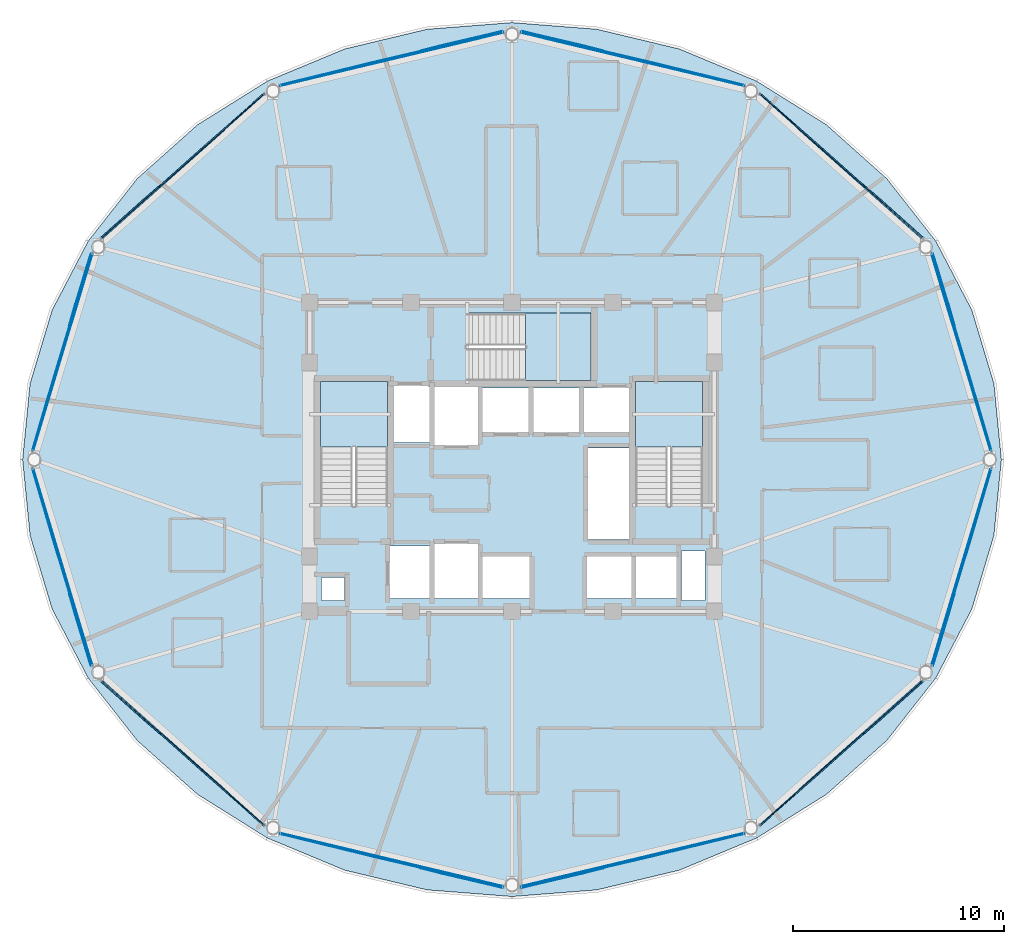
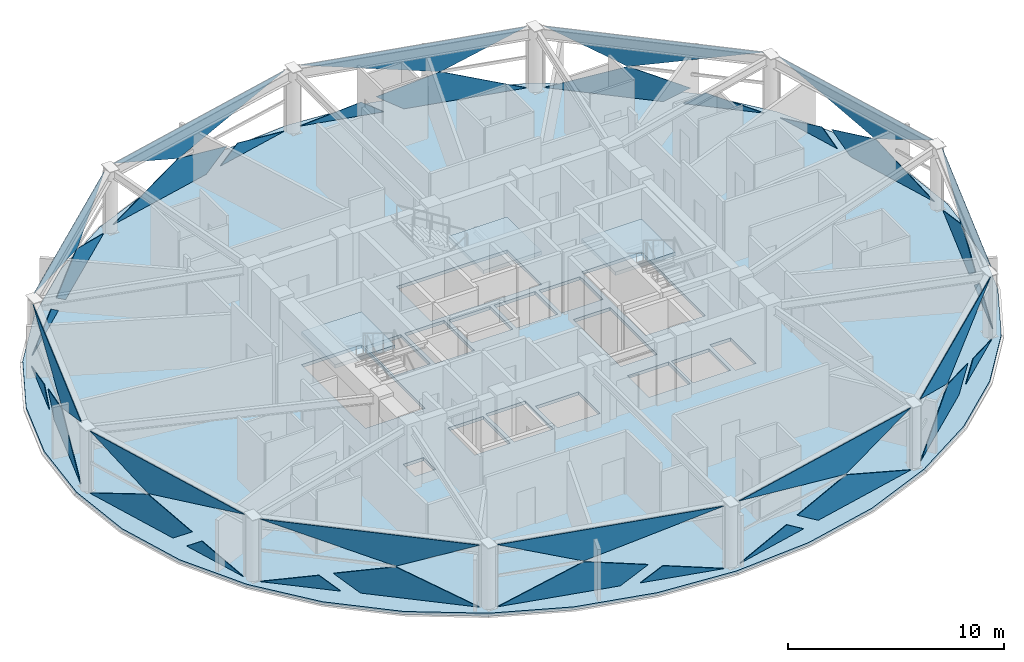
# One storey, part 21 of 30: 36 plates, 4 slabs, 15 elements without a shape of their own.
"""IFC4 building model written with IfcOpenShell, lengths in metres."""

from ifc_helpers import new_model, si_unit, direction, frame, origin, place, context, subcontext, project, spatial, polyline, outline, extrude, material, layer, layer_set, type_object, element, aggregate, save


model = new_model("IFC4")

# Units and contexts
model_context = context("Model", 3, precision=1e-05, world=origin(), true_north=direction((0.0, 1.0)))
body_context = subcontext(model_context, "Body", "Model", "MODEL_VIEW")
ifc_project = project(units=[si_unit("LENGTHUNIT", "METRE"), si_unit("AREAUNIT", "SQUARE_METRE"), si_unit("VOLUMEUNIT", "CUBIC_METRE"), si_unit("PLANEANGLEUNIT", "RADIAN"), si_unit("MASSUNIT", "GRAM", prefix="KILO")], contexts=[model_context])

# Site, building, storey
site_placement = place(None, origin())
site = spatial("IfcSite", under=ifc_project, at=site_placement, CompositionType="ELEMENT")
building_placement = place(site_placement, origin())
building = spatial("IfcBuilding", under=site, at=building_placement, Name="Vantalir Tower", CompositionType="ELEMENT")
storey_placement = place(building_placement, frame((0.0, 0.0, 186.14990234375)))
storey = spatial("IfcBuildingStorey", under=building, at=storey_placement, Name="L46", CompositionType="ELEMENT", Elevation=186.14990234375)

# Curtain wall, plates
ifc_material_1 = material(Name="Champagne-silver PVDF aluminium and double-silver Low-E glass", Category="aluminium")
ifc_layer_1 = layer(ifc_material_1, 0.2099609375)
ifc_layer_set_1 = layer_set([ifc_layer_1], Name="Champagne-silver PVDF aluminium and double-silver Low-E glass")
curtain_wall_type = type_object("IfcCurtainWallType", Name="CW-DIAMOND-Z3", PredefinedType="USERDEFINED", material=ifc_layer_set_1)
curtain_wall_1_placement = place(storey_placement, origin())
curtain_wall_1 = element("IfcCurtainWall", 1, at=curtain_wall_1_placement, inside=storey, type_object=curtain_wall_type, Name="L46 Quilted Pyramid-Diamond Curtain Wall S01", ObjectType="UNITISED CURTAIN WALL", PredefinedType="USERDEFINED")
ifc_material_2 = material(Name="Double-silver Low-E acoustic glass IGU", Category="glass")
ifc_layer_2 = layer(ifc_material_2, 0.031982421875)
ifc_layer_set_2 = layer_set([ifc_layer_2], Name="Double-silver Low-E acoustic glass IGU")
plate_type = type_object("IfcPlateType", Name="CWP-IGU-32", PredefinedType="CURTAIN_PANEL", material=ifc_layer_set_2)
plate_1_placement = place(storey_placement, frame((54.24365234375, 25.406982421875, 0.047119140625), z_axis=(-0.957579072068, -0.287844761269, 0.013700881249), x_axis=(-0.287872386342, 0.95766877732, -4.6128786e-05)))
plate_1 = element("IfcPlate", 2, at=plate_1_placement, type_object=plate_type, Name="CW-L46-S01 Pyramid Diamond Facet 1L", PredefinedType="CURTAIN_PANEL", context=body_context, shape_type="SweptSolid", body=[
    extrude(outline(polyline([(0.0, 0.0), (5.292903018557238, -4.363913744254155e-18), (6.505803526019668, -0.9342256842411738), (3.721961085963281, -1.7259196116838134), (0.0, 0.0)])), origin(), (0.0, 0.0, -1.0), 0.031982421875),
])
plate_2_placement = place(storey_placement, frame((52.495361328125, 31.347900390625, 0.04638671875), z_axis=(-0.957562221504, -0.287898873205, 0.013741570378), x_axis=(-0.287926951772, 0.957652372125, -6.7875283e-05)))
plate_2 = element("IfcPlate", 3, at=plate_2_placement, type_object=plate_type, Name="CW-L46-S01 Pyramid Diamond Facet 1L Infill Light", PredefinedType="CURTAIN_PANEL", context=body_context, shape_type="SweptSolid", body=[
    extrude(outline(polyline([(0.0, 0.0), (3.596900272363457, 4.336808689942018e-18), (0.9702100618070822, -0.7472067186398484), (0.0, 0.0)])), origin(), (0.0, 0.0, -1.0), 0.031982421875),
])
plate_3_placement = place(storey_placement, frame((51.42529296875, 34.781982421875, 3.5234375), z_axis=(0.957570876233, 0.287869386433, 0.013756211155), x_axis=(0.287896956027, -0.957661392189, -2.4939099e-05)))
plate_3 = element("IfcPlate", 4, at=plate_3_placement, type_object=plate_type, Name="CW-L46-S01 Pyramid Diamond Facet 2U", PredefinedType="CURTAIN_PANEL", context=body_context, shape_type="SweptSolid", body=[
    extrude(outline(polyline([(0.0, 0.0), (9.789472642908557, 1.1411227865409934e-17), (6.067475597382312, 1.7258420624480102), (0.0, 0.0)])), origin(), (0.0, 0.0, -1.0), 0.031982421875),
])
aggregate(curtain_wall_1, [plate_1, plate_2, plate_3])

curtain_wall_2_placement = place(storey_placement, origin())
curtain_wall_2 = element("IfcCurtainWall", 5, at=curtain_wall_2_placement, inside=storey, type_object=curtain_wall_type, Name="L46 Quilted Pyramid-Diamond Curtain Wall S02", ObjectType="UNITISED CURTAIN WALL", PredefinedType="USERDEFINED")
plate_4_placement = place(storey_placement, frame((47.441650390625, 38.630126953125, 0.046875), z_axis=(-0.665246028459, -0.746496296325, 0.013820318103), x_axis=(-0.746567599022, 0.665309567112, -1.78484e-07)))
plate_4 = element("IfcPlate", 6, at=plate_4_placement, type_object=plate_type, Name="CW-L46-S02 Pyramid Diamond Facet 1L", PredefinedType="CURTAIN_PANEL", context=body_context, shape_type="SweptSolid", body=[
    extrude(outline(polyline([(0.0, 0.0), (5.614170802552042, -6.938893903907228e-18), (1.6704091523146636, -1.726239381653597), (-1.2763631563937972, -0.933437527625083), (0.0, 0.0)])), origin(), (0.0, 0.0, -1.0), 0.031982421875),
])
plate_5_placement = place(storey_placement, frame((51.009765625, 35.49853515625, 0.046142578125), z_axis=(-0.665224132823, -0.746514381147, 0.013897188627), x_axis=(-0.746586479442, 0.665288380113, 0.0)))
plate_5 = element("IfcPlate", 7, at=plate_5_placement, type_object=plate_type, Name="CW-L46-S02 Pyramid Diamond Facet 1L Infill Light", PredefinedType="CURTAIN_PANEL", context=body_context, shape_type="SweptSolid", body=[
    extrude(outline(polyline([(0.0, 0.0), (3.8168510326197063, 3.469446951953614e-18), (2.7908378791656396, -0.7508049275489297), (0.0, 0.0)])), origin(), (0.0, 0.0, -1.0), 0.031982421875),
])
plate_6_placement = place(storey_placement, frame((43.250244140625, 42.365234375, 3.523193359375), z_axis=(0.665241096295, 0.746500141171, 0.013850019198), x_axis=(0.746571532091, -0.665305153231, 2.3562302e-05)))
plate_6 = element("IfcPlate", 8, at=plate_6_placement, type_object=plate_type, Name="CW-L46-S02 Pyramid Diamond Facet 2U", PredefinedType="CURTAIN_PANEL", context=body_context, shape_type="SweptSolid", body=[
    extrude(outline(polyline([(0.0, 0.0), (10.361492999146591, 1.9759584593548318e-17), (3.9437208179401617, 1.7260885614546762), (0.0, 0.0)])), origin(), (0.0, 0.0, -1.0), 0.031982421875),
])
aggregate(curtain_wall_2, [plate_4, plate_5, plate_6])

curtain_wall_3_placement = place(storey_placement, origin())
curtain_wall_3 = element("IfcCurtainWall", 9, at=curtain_wall_3_placement, inside=storey, type_object=curtain_wall_type, Name="L46 Quilted Pyramid-Diamond Curtain Wall S03", ObjectType="UNITISED CURTAIN WALL", PredefinedType="USERDEFINED")
plate_7_placement = place(storey_placement, frame((42.519775390625, 42.746826171875, 0.046875), z_axis=(-0.232209817258, -0.972568841774, 0.013727664746), x_axis=(-0.972660626, 0.232231145422, -4.1528643e-05)))
plate_7 = element("IfcPlate", 10, at=plate_7_placement, type_object=plate_type, Name="CW-L46-S03 Pyramid Diamond Facet 1L", PredefinedType="CURTAIN_PANEL", context=body_context, shape_type="SweptSolid", body=[
    extrude(outline(polyline([(0.0, 0.0), (5.908586478234399, -4.607859233063394e-19), (7.248471767748111, -0.9339827781048905), (4.146109717451515, -1.726652008618249), (0.0, 0.0)])), origin(), (0.0, 0.0, -1.0), 0.031982421875),
])
plate_8_placement = place(storey_placement, frame((35.845703125, 44.37744140625, 0.046142578125), z_axis=(-0.23223484952, -0.972566632707, 0.013458068748), x_axis=(-0.972654720119, 0.23225588352, 0.0)))
plate_8 = element("IfcPlate", 11, at=plate_8_placement, type_object=plate_type, Name="CW-L46-S03 Pyramid Diamond Facet 1L Infill Light", PredefinedType="CURTAIN_PANEL", context=body_context, shape_type="SweptSolid", body=[
    extrude(outline(polyline([(0.0, 0.0), (4.0343938958562475, 0.0), (1.0822447268846702, -0.7542186956176561), (0.0, 0.0)])), origin(), (0.0, 0.0, -1.0), 0.031982421875),
])
plate_9_placement = place(storey_placement, frame((31.913330078125, 45.279296875, 3.523681640625), z_axis=(0.232217597724, 0.9725679802, 0.013656910195), x_axis=(0.972658761071, -0.232238958857, -2.2388794e-05)))
plate_9 = element("IfcPlate", 12, at=plate_9_placement, type_object=plate_type, Name="CW-L46-S03 Pyramid Diamond Facet 2U", PredefinedType="CURTAIN_PANEL", context=body_context, shape_type="SweptSolid", body=[
    extrude(outline(polyline([(0.0, 0.0), (10.904590321916928, 3.415236843329339e-18), (6.758447370909409, 1.7265722069797567), (0.0, 0.0)])), origin(), (0.0, 0.0, -1.0), 0.031982421875),
])
aggregate(curtain_wall_3, [plate_7, plate_8, plate_9])

curtain_wall_4_placement = place(storey_placement, origin())
curtain_wall_4 = element("IfcCurtainWall", 13, at=curtain_wall_4_placement, inside=storey, type_object=curtain_wall_type, Name="L46 Quilted Pyramid-Diamond Curtain Wall S04", ObjectType="UNITISED CURTAIN WALL", PredefinedType="USERDEFINED")
plate_10_placement = place(storey_placement, frame((26.227294921875, 44.118896484375, 0.046630859375), z_axis=(0.232209817258, -0.972568841774, 0.013727664746), x_axis=(-0.972660626, -0.232231145422, 4.1528643e-05)))
plate_10 = element("IfcPlate", 14, at=plate_10_placement, type_object=plate_type, Name="CW-L46-S04 Pyramid Diamond Facet 1L", PredefinedType="CURTAIN_PANEL", context=body_context, shape_type="SweptSolid", body=[
    extrude(outline(polyline([(0.0, 0.0), (5.908586478234399, 4.607859233063394e-19), (1.762476760782884, -1.7266520086182493), (-1.339885289513711, -0.9339827781048904), (0.0, 0.0)])), origin(), (0.0, 0.0, -1.0), 0.031982421875),
])
plate_11_placement = place(storey_placement, frame((31.078369140625, 45.314453125, 0.046142578125), z_axis=(0.23223484952, -0.972566632707, 0.013458068748), x_axis=(-0.972654720119, -0.23225588352, 0.0)))
plate_11 = element("IfcPlate", 15, at=plate_11_placement, type_object=plate_type, Name="CW-L46-S04 Pyramid Diamond Facet 1L Infill Light", PredefinedType="CURTAIN_PANEL", context=body_context, shape_type="SweptSolid", body=[
    extrude(outline(polyline([(0.0, 0.0), (4.0343938958562475, 0.0), (2.952149168971577, -0.7542186956176561), (0.0, 0.0)])), origin(), (0.0, 0.0, -1.0), 0.031982421875),
])
plate_12_placement = place(storey_placement, frame((20.480224609375, 42.746826171875, 3.5234375), z_axis=(-0.232217597724, 0.9725679802, 0.013656910195), x_axis=(0.972658761071, 0.232238958857, 2.2388794e-05)))
plate_12 = element("IfcPlate", 16, at=plate_12_placement, type_object=plate_type, Name="CW-L46-S04 Pyramid Diamond Facet 2U", PredefinedType="CURTAIN_PANEL", context=body_context, shape_type="SweptSolid", body=[
    extrude(outline(polyline([(0.0, 0.0), (10.904590321916928, -3.415236843329339e-18), (4.146142951007518, 1.7265722069797567), (0.0, 0.0)])), origin(), (0.0, 0.0, -1.0), 0.031982421875),
])
aggregate(curtain_wall_4, [plate_10, plate_11, plate_12])

curtain_wall_5_placement = place(storey_placement, origin())
curtain_wall_5 = element("IfcCurtainWall", 17, at=curtain_wall_5_placement, inside=storey, type_object=curtain_wall_type, Name="L46 Quilted Pyramid-Diamond Curtain Wall S05", ObjectType="UNITISED CURTAIN WALL", PredefinedType="USERDEFINED")
plate_13_placement = place(storey_placement, frame((19.749755859375, 42.365234375, 0.046875), z_axis=(0.665246028459, -0.746496296325, 0.013820318103), x_axis=(-0.746567599022, -0.665309567112, 1.78484e-07)))
plate_13 = element("IfcPlate", 18, at=plate_13_placement, type_object=plate_type, Name="CW-L46-S05 Pyramid Diamond Facet 1L", PredefinedType="CURTAIN_PANEL", context=body_context, shape_type="SweptSolid", body=[
    extrude(outline(polyline([(0.0, 0.0), (5.614170802552042, 6.938893903907228e-18), (6.89053395894584, -0.933437527625083), (3.9437616502373785, -1.726239381653597), (0.0, 0.0)])), origin(), (0.0, 0.0, -1.0), 0.031982421875),
])
plate_14_placement = place(storey_placement, frame((14.83984375, 38.037841796875, 0.046142578125), z_axis=(0.665224132823, -0.746514381147, 0.013897188627), x_axis=(-0.746586479442, -0.665288380113, 0.0)))
plate_14 = element("IfcPlate", 19, at=plate_14_placement, type_object=plate_type, Name="CW-L46-S05 Pyramid Diamond Facet 1L Infill Light", PredefinedType="CURTAIN_PANEL", context=body_context, shape_type="SweptSolid", body=[
    extrude(outline(polyline([(0.0, 0.0), (3.8168510326197063, -3.469446951953614e-18), (1.0260131534540664, -0.7508049275489297), (0.0, 0.0)])), origin(), (0.0, 0.0, -1.0), 0.031982421875),
])
plate_15_placement = place(storey_placement, frame((12.01416015625, 35.4716796875, 3.5234375), z_axis=(-0.665241096295, 0.746500141171, 0.013850019198), x_axis=(0.746571532091, 0.665305153231, -2.3562302e-05)))
plate_15 = element("IfcPlate", 20, at=plate_15_placement, type_object=plate_type, Name="CW-L46-S05 Pyramid Diamond Facet 2U", PredefinedType="CURTAIN_PANEL", context=body_context, shape_type="SweptSolid", body=[
    extrude(outline(polyline([(0.0, 0.0), (10.361492999146591, -1.9759584593548318e-17), (6.41777218120643, 1.7260885614546762), (0.0, 0.0)])), origin(), (0.0, 0.0, -1.0), 0.031982421875),
])
aggregate(curtain_wall_5, [plate_13, plate_14, plate_15])

curtain_wall_6_placement = place(storey_placement, origin())
curtain_wall_6 = element("IfcCurtainWall", 21, at=curtain_wall_6_placement, inside=storey, type_object=curtain_wall_type, Name="L46 Quilted Pyramid-Diamond Curtain Wall S06", ObjectType="UNITISED CURTAIN WALL", PredefinedType="USERDEFINED")
plate_16_placement = place(storey_placement, frame((10.280029296875, 30.475830078125, 0.046875), z_axis=(0.957579072068, -0.287844761269, 0.013700881249), x_axis=(-0.287872386342, -0.95766877732, 4.6128786e-05)))
plate_16 = element("IfcPlate", 22, at=plate_16_placement, type_object=plate_type, Name="CW-L46-S06 Pyramid Diamond Facet 1L", PredefinedType="CURTAIN_PANEL", context=body_context, shape_type="SweptSolid", body=[
    extrude(outline(polyline([(0.0, 0.0), (5.292903018557238, 4.363913744254155e-18), (1.5709419325939575, -1.7259196116838134), (-1.2129005074624302, -0.9342256842411739), (0.0, 0.0)])), origin(), (0.0, 0.0, -1.0), 0.031982421875),
])
plate_17_placement = place(storey_placement, frame((11.540283203125, 34.79248046875, 0.046142578125), z_axis=(0.957562221504, -0.287898873205, 0.013741570378), x_axis=(-0.287926951772, -0.957652372125, 6.7875283e-05)))
plate_17 = element("IfcPlate", 23, at=plate_17_placement, type_object=plate_type, Name="CW-L46-S06 Pyramid Diamond Facet 1L Infill Light", PredefinedType="CURTAIN_PANEL", context=body_context, shape_type="SweptSolid", body=[
    extrude(outline(polyline([(0.0, 0.0), (3.596900272363457, -4.336808689942018e-18), (2.6266902105563745, -0.7472067186398483), (0.0, 0.0)])), origin(), (0.0, 0.0, -1.0), 0.031982421875),
])
plate_18_placement = place(storey_placement, frame((8.75634765625, 25.406982421875, 3.523193359375), z_axis=(-0.957570876233, 0.287869386433, 0.013756211155), x_axis=(0.287896956027, 0.957661392189, 2.4939099e-05)))
plate_18 = element("IfcPlate", 24, at=plate_18_placement, type_object=plate_type, Name="CW-L46-S06 Pyramid Diamond Facet 2U", PredefinedType="CURTAIN_PANEL", context=body_context, shape_type="SweptSolid", body=[
    extrude(outline(polyline([(0.0, 0.0), (9.789472642908557, -1.1411227865409934e-17), (3.721997045526245, 1.7258420624480102), (0.0, 0.0)])), origin(), (0.0, 0.0, -1.0), 0.031982421875),
])
aggregate(curtain_wall_6, [plate_16, plate_17, plate_18])

curtain_wall_7_placement = place(storey_placement, origin())
curtain_wall_7 = element("IfcCurtainWall", 25, at=curtain_wall_7_placement, inside=storey, type_object=curtain_wall_type, Name="L46 Quilted Pyramid-Diamond Curtain Wall S07", ObjectType="UNITISED CURTAIN WALL", PredefinedType="USERDEFINED")
plate_19_placement = place(storey_placement, frame((8.75634765625, 24.593017578125, 0.047119140625), z_axis=(0.957579072068, 0.287844761269, 0.013700881249), x_axis=(0.287872386342, -0.95766877732, -4.6128786e-05)))
plate_19 = element("IfcPlate", 26, at=plate_19_placement, type_object=plate_type, Name="CW-L46-S07 Pyramid Diamond Facet 1L", PredefinedType="CURTAIN_PANEL", context=body_context, shape_type="SweptSolid", body=[
    extrude(outline(polyline([(0.0, 0.0), (5.292903018557238, -4.363913744254155e-18), (6.505803526019668, -0.9342256842411738), (3.721961085963281, -1.7259196116838134), (0.0, 0.0)])), origin(), (0.0, 0.0, -1.0), 0.031982421875),
])
plate_20_placement = place(storey_placement, frame((10.504638671875, 18.652099609375, 0.04638671875), z_axis=(0.957562221504, 0.287898873205, 0.013741570378), x_axis=(0.287926951772, -0.957652372125, -6.7875283e-05)))
plate_20 = element("IfcPlate", 27, at=plate_20_placement, type_object=plate_type, Name="CW-L46-S07 Pyramid Diamond Facet 1L Infill Light", PredefinedType="CURTAIN_PANEL", context=body_context, shape_type="SweptSolid", body=[
    extrude(outline(polyline([(0.0, 0.0), (3.596900272363457, 4.336808689942018e-18), (0.9702100618070822, -0.7472067186398484), (0.0, 0.0)])), origin(), (0.0, 0.0, -1.0), 0.031982421875),
])
plate_21_placement = place(storey_placement, frame((11.57470703125, 15.218017578125, 3.5234375), z_axis=(-0.957570876233, -0.287869386433, 0.013756211155), x_axis=(-0.287896956027, 0.957661392189, -2.4939099e-05)))
plate_21 = element("IfcPlate", 28, at=plate_21_placement, type_object=plate_type, Name="CW-L46-S07 Pyramid Diamond Facet 2U", PredefinedType="CURTAIN_PANEL", context=body_context, shape_type="SweptSolid", body=[
    extrude(outline(polyline([(0.0, 0.0), (9.789472642908557, 1.1411227865409934e-17), (6.067475597382312, 1.7258420624480102), (0.0, 0.0)])), origin(), (0.0, 0.0, -1.0), 0.031982421875),
])
aggregate(curtain_wall_7, [plate_19, plate_20, plate_21])

curtain_wall_8_placement = place(storey_placement, origin())
curtain_wall_8 = element("IfcCurtainWall", 29, at=curtain_wall_8_placement, inside=storey, type_object=curtain_wall_type, Name="L46 Quilted Pyramid-Diamond Curtain Wall S08", ObjectType="UNITISED CURTAIN WALL", PredefinedType="USERDEFINED")
plate_22_placement = place(storey_placement, frame((15.558349609375, 11.369873046875, 0.046875), z_axis=(0.665246028459, 0.746496296325, 0.013820318103), x_axis=(0.746567599022, -0.665309567112, -1.78484e-07)))
plate_22 = element("IfcPlate", 30, at=plate_22_placement, type_object=plate_type, Name="CW-L46-S08 Pyramid Diamond Facet 1L", PredefinedType="CURTAIN_PANEL", context=body_context, shape_type="SweptSolid", body=[
    extrude(outline(polyline([(0.0, 0.0), (5.614170802552042, -6.938893903907228e-18), (1.6704091523146636, -1.726239381653597), (-1.2763631563937972, -0.933437527625083), (0.0, 0.0)])), origin(), (0.0, 0.0, -1.0), 0.031982421875),
])
plate_23_placement = place(storey_placement, frame((11.990234375, 14.50146484375, 0.046142578125), z_axis=(0.665224132823, 0.746514381147, 0.013897188627), x_axis=(0.746586479442, -0.665288380113, 0.0)))
plate_23 = element("IfcPlate", 31, at=plate_23_placement, type_object=plate_type, Name="CW-L46-S08 Pyramid Diamond Facet 1L Infill Light", PredefinedType="CURTAIN_PANEL", context=body_context, shape_type="SweptSolid", body=[
    extrude(outline(polyline([(0.0, 0.0), (3.8168510326197063, 3.469446951953614e-18), (2.7908378791656396, -0.7508049275489297), (0.0, 0.0)])), origin(), (0.0, 0.0, -1.0), 0.031982421875),
])
plate_24_placement = place(storey_placement, frame((19.749755859375, 7.634765625, 3.523193359375), z_axis=(-0.665241096295, -0.746500141171, 0.013850019198), x_axis=(-0.746571532091, 0.665305153231, 2.3562302e-05)))
plate_24 = element("IfcPlate", 32, at=plate_24_placement, type_object=plate_type, Name="CW-L46-S08 Pyramid Diamond Facet 2U", PredefinedType="CURTAIN_PANEL", context=body_context, shape_type="SweptSolid", body=[
    extrude(outline(polyline([(0.0, 0.0), (10.361492999146591, 1.9759584593548318e-17), (3.9437208179401617, 1.7260885614546762), (0.0, 0.0)])), origin(), (0.0, 0.0, -1.0), 0.031982421875),
])
aggregate(curtain_wall_8, [plate_22, plate_23, plate_24])

curtain_wall_9_placement = place(storey_placement, origin())
curtain_wall_9 = element("IfcCurtainWall", 33, at=curtain_wall_9_placement, inside=storey, type_object=curtain_wall_type, Name="L46 Quilted Pyramid-Diamond Curtain Wall S09", ObjectType="UNITISED CURTAIN WALL", PredefinedType="USERDEFINED")
plate_25_placement = place(storey_placement, frame((20.480224609375, 7.253173828125, 0.046875), z_axis=(0.232209817258, 0.972568841774, 0.013727664746), x_axis=(0.972660626, -0.232231145422, -4.1528643e-05)))
plate_25 = element("IfcPlate", 34, at=plate_25_placement, type_object=plate_type, Name="CW-L46-S09 Pyramid Diamond Facet 1L", PredefinedType="CURTAIN_PANEL", context=body_context, shape_type="SweptSolid", body=[
    extrude(outline(polyline([(0.0, 0.0), (5.908586478234399, -4.607859233063394e-19), (7.248471767748111, -0.9339827781048905), (4.146109717451515, -1.726652008618249), (0.0, 0.0)])), origin(), (0.0, 0.0, -1.0), 0.031982421875),
])
plate_26_placement = place(storey_placement, frame((27.154296875, 5.62255859375, 0.046142578125), z_axis=(0.23223484952, 0.972566632707, 0.013458068748), x_axis=(0.972654720119, -0.23225588352, 0.0)))
plate_26 = element("IfcPlate", 35, at=plate_26_placement, type_object=plate_type, Name="CW-L46-S09 Pyramid Diamond Facet 1L Infill Light", PredefinedType="CURTAIN_PANEL", context=body_context, shape_type="SweptSolid", body=[
    extrude(outline(polyline([(0.0, 0.0), (4.0343938958562475, 0.0), (1.0822447268846702, -0.7542186956176561), (0.0, 0.0)])), origin(), (0.0, 0.0, -1.0), 0.031982421875),
])
plate_27_placement = place(storey_placement, frame((31.086669921875, 4.720703125, 3.523681640625), z_axis=(-0.232217597724, -0.9725679802, 0.013656910195), x_axis=(-0.972658761071, 0.232238958857, -2.2388794e-05)))
plate_27 = element("IfcPlate", 36, at=plate_27_placement, type_object=plate_type, Name="CW-L46-S09 Pyramid Diamond Facet 2U", PredefinedType="CURTAIN_PANEL", context=body_context, shape_type="SweptSolid", body=[
    extrude(outline(polyline([(0.0, 0.0), (10.904590321916928, 3.415236843329339e-18), (6.758447370909409, 1.7265722069797567), (0.0, 0.0)])), origin(), (0.0, 0.0, -1.0), 0.031982421875),
])
aggregate(curtain_wall_9, [plate_25, plate_26, plate_27])

curtain_wall_10_placement = place(storey_placement, origin())
curtain_wall_10 = element("IfcCurtainWall", 37, at=curtain_wall_10_placement, inside=storey, type_object=curtain_wall_type, Name="L46 Quilted Pyramid-Diamond Curtain Wall S10", ObjectType="UNITISED CURTAIN WALL", PredefinedType="USERDEFINED")
plate_28_placement = place(storey_placement, frame((36.772705078125, 5.881103515625, 0.046630859375), z_axis=(-0.232209817258, 0.972568841774, 0.013727664746), x_axis=(0.972660626, 0.232231145422, 4.1528643e-05)))
plate_28 = element("IfcPlate", 38, at=plate_28_placement, type_object=plate_type, Name="CW-L46-S10 Pyramid Diamond Facet 1L", PredefinedType="CURTAIN_PANEL", context=body_context, shape_type="SweptSolid", body=[
    extrude(outline(polyline([(0.0, 0.0), (5.908586478234399, 4.607859233063394e-19), (1.762476760782884, -1.7266520086182493), (-1.339885289513711, -0.9339827781048904), (0.0, 0.0)])), origin(), (0.0, 0.0, -1.0), 0.031982421875),
])
plate_29_placement = place(storey_placement, frame((31.921630859375, 4.685546875, 0.046142578125), z_axis=(-0.23223484952, 0.972566632707, 0.013458068748), x_axis=(0.972654720119, 0.23225588352, 0.0)))
plate_29 = element("IfcPlate", 39, at=plate_29_placement, type_object=plate_type, Name="CW-L46-S10 Pyramid Diamond Facet 1L Infill Light", PredefinedType="CURTAIN_PANEL", context=body_context, shape_type="SweptSolid", body=[
    extrude(outline(polyline([(0.0, 0.0), (4.0343938958562475, 0.0), (2.952149168971577, -0.7542186956176561), (0.0, 0.0)])), origin(), (0.0, 0.0, -1.0), 0.031982421875),
])
plate_30_placement = place(storey_placement, frame((42.519775390625, 7.253173828125, 3.5234375), z_axis=(0.232217597724, -0.9725679802, 0.013656910195), x_axis=(-0.972658761071, -0.232238958857, 2.2388794e-05)))
plate_30 = element("IfcPlate", 40, at=plate_30_placement, type_object=plate_type, Name="CW-L46-S10 Pyramid Diamond Facet 2U", PredefinedType="CURTAIN_PANEL", context=body_context, shape_type="SweptSolid", body=[
    extrude(outline(polyline([(0.0, 0.0), (10.904590321916928, -3.415236843329339e-18), (4.146142951007518, 1.7265722069797567), (0.0, 0.0)])), origin(), (0.0, 0.0, -1.0), 0.031982421875),
])
aggregate(curtain_wall_10, [plate_28, plate_29, plate_30])

curtain_wall_11_placement = place(storey_placement, origin())
curtain_wall_11 = element("IfcCurtainWall", 41, at=curtain_wall_11_placement, inside=storey, type_object=curtain_wall_type, Name="L46 Quilted Pyramid-Diamond Curtain Wall S11", ObjectType="UNITISED CURTAIN WALL", PredefinedType="USERDEFINED")
plate_31_placement = place(storey_placement, frame((43.250244140625, 7.634765625, 0.046875), z_axis=(-0.665246028459, 0.746496296325, 0.013820318103), x_axis=(0.746567599022, 0.665309567112, 1.78484e-07)))
plate_31 = element("IfcPlate", 42, at=plate_31_placement, type_object=plate_type, Name="CW-L46-S11 Pyramid Diamond Facet 1L", PredefinedType="CURTAIN_PANEL", context=body_context, shape_type="SweptSolid", body=[
    extrude(outline(polyline([(0.0, 0.0), (5.614170802552042, 6.938893903907228e-18), (6.89053395894584, -0.933437527625083), (3.9437616502373785, -1.726239381653597), (0.0, 0.0)])), origin(), (0.0, 0.0, -1.0), 0.031982421875),
])
plate_32_placement = place(storey_placement, frame((48.16015625, 11.962158203125, 0.046142578125), z_axis=(-0.665224132823, 0.746514381147, 0.013897188627), x_axis=(0.746586479442, 0.665288380113, 0.0)))
plate_32 = element("IfcPlate", 43, at=plate_32_placement, type_object=plate_type, Name="CW-L46-S11 Pyramid Diamond Facet 1L Infill Light", PredefinedType="CURTAIN_PANEL", context=body_context, shape_type="SweptSolid", body=[
    extrude(outline(polyline([(0.0, 0.0), (3.8168510326197063, -3.469446951953614e-18), (1.0260131534540664, -0.7508049275489297), (0.0, 0.0)])), origin(), (0.0, 0.0, -1.0), 0.031982421875),
])
plate_33_placement = place(storey_placement, frame((50.98583984375, 14.5283203125, 3.5234375), z_axis=(0.665241096295, -0.746500141171, 0.013850019198), x_axis=(-0.746571532091, -0.665305153231, -2.3562302e-05)))
plate_33 = element("IfcPlate", 44, at=plate_33_placement, type_object=plate_type, Name="CW-L46-S11 Pyramid Diamond Facet 2U", PredefinedType="CURTAIN_PANEL", context=body_context, shape_type="SweptSolid", body=[
    extrude(outline(polyline([(0.0, 0.0), (10.361492999146591, -1.9759584593548318e-17), (6.41777218120643, 1.7260885614546762), (0.0, 0.0)])), origin(), (0.0, 0.0, -1.0), 0.031982421875),
])
aggregate(curtain_wall_11, [plate_31, plate_32, plate_33])

curtain_wall_12_placement = place(storey_placement, origin())
curtain_wall_12 = element("IfcCurtainWall", 45, at=curtain_wall_12_placement, inside=storey, type_object=curtain_wall_type, Name="L46 Quilted Pyramid-Diamond Curtain Wall S12", ObjectType="UNITISED CURTAIN WALL", PredefinedType="USERDEFINED")
plate_34_placement = place(storey_placement, frame((52.719970703125, 19.524169921875, 0.046875), z_axis=(-0.957579072068, 0.287844761269, 0.013700881249), x_axis=(0.287872386342, 0.95766877732, 4.6128786e-05)))
plate_34 = element("IfcPlate", 46, at=plate_34_placement, type_object=plate_type, Name="CW-L46-S12 Pyramid Diamond Facet 1L", PredefinedType="CURTAIN_PANEL", context=body_context, shape_type="SweptSolid", body=[
    extrude(outline(polyline([(0.0, 0.0), (5.292903018557238, 4.363913744254155e-18), (1.5709419325939575, -1.7259196116838134), (-1.2129005074624302, -0.9342256842411739), (0.0, 0.0)])), origin(), (0.0, 0.0, -1.0), 0.031982421875),
])
plate_35_placement = place(storey_placement, frame((51.459716796875, 15.20751953125, 0.046142578125), z_axis=(-0.957562221504, 0.287898873205, 0.013741570378), x_axis=(0.287926951772, 0.957652372125, 6.7875283e-05)))
plate_35 = element("IfcPlate", 47, at=plate_35_placement, type_object=plate_type, Name="CW-L46-S12 Pyramid Diamond Facet 1L Infill Light", PredefinedType="CURTAIN_PANEL", context=body_context, shape_type="SweptSolid", body=[
    extrude(outline(polyline([(0.0, 0.0), (3.596900272363457, -4.336808689942018e-18), (2.6266902105563745, -0.7472067186398483), (0.0, 0.0)])), origin(), (0.0, 0.0, -1.0), 0.031982421875),
])
plate_36_placement = place(storey_placement, frame((54.24365234375, 24.593017578125, 3.523193359375), z_axis=(0.957570876233, -0.287869386433, 0.013756211155), x_axis=(-0.287896956027, -0.957661392189, 2.4939099e-05)))
plate_36 = element("IfcPlate", 48, at=plate_36_placement, type_object=plate_type, Name="CW-L46-S12 Pyramid Diamond Facet 2U", PredefinedType="CURTAIN_PANEL", context=body_context, shape_type="SweptSolid", body=[
    extrude(outline(polyline([(0.0, 0.0), (9.789472642908557, -1.1411227865409934e-17), (3.721997045526245, 1.7258420624480102), (0.0, 0.0)])), origin(), (0.0, 0.0, -1.0), 0.031982421875),
])
aggregate(curtain_wall_12, [plate_34, plate_35, plate_36])

# Stair, slab
ifc_material_3 = material(Name="Concrete C40/50", Category="concrete")
stair_type = type_object("IfcStairType", Name="STR-CORE-1450", PredefinedType="HALF_TURN_STAIR", material=ifc_material_3)
stair_1_placement = place(storey_placement, origin())
stair_1 = element("IfcStair", 49, at=stair_1_placement, inside=storey, type_object=stair_type, Name="L46 Core Exit Stair 1", PredefinedType="HALF_TURN_STAIR")
ifc_layer_3 = layer(ifc_material_3, 0.199951171875)
ifc_layer_set_3 = layer_set([ifc_layer_3], Name="Concrete C40/50")
slab_type_1 = type_object("IfcSlabType", Name="SL-LAND-200", PredefinedType="LANDING", material=ifc_layer_set_3)
slab_1_placement = place(storey_placement, frame((0.0, 0.0, 1.675048828125)))
slab_1 = element("IfcSlab", 50, at=slab_1_placement, type_object=slab_type_1, Name="ST1 landing 1", PredefinedType="LANDING", context=body_context, shape_type="SweptSolid", body=[
    extrude(outline(polyline([(25.60009765625, 25.590087890625), (25.60009765625, 28.699951171875), (22.39990234375, 28.699951171875), (22.39990234375, 25.590087890625), (25.60009765625, 25.590087890625)])), origin(), (0.0, 0.0, 1.0), 0.199951171875),
])
aggregate(stair_1, [slab_1])

stair_2_placement = place(storey_placement, origin())
stair_2 = element("IfcStair", 51, at=stair_2_placement, inside=storey, type_object=stair_type, Name="L46 Core Exit Stair 2", PredefinedType="HALF_TURN_STAIR")
slab_2_placement = place(storey_placement, frame((0.0, 0.0, 1.675048828125)))
slab_2 = element("IfcSlab", 52, at=slab_2_placement, type_object=slab_type_1, Name="ST2 landing 1", PredefinedType="LANDING", context=body_context, shape_type="SweptSolid", body=[
    extrude(outline(polyline([(40.550048828125, 25.590087890625), (40.550048828125, 28.699951171875), (37.35009765625, 28.699951171875), (37.35009765625, 25.590087890625), (40.550048828125, 25.590087890625)])), origin(), (0.0, 0.0, 1.0), 0.199951171875),
])
aggregate(stair_2, [slab_2])

stair_3_placement = place(storey_placement, origin())
stair_3 = element("IfcStair", 53, at=stair_3_placement, inside=storey, type_object=stair_type, Name="L46 Core Exit Stair 3", PredefinedType="HALF_TURN_STAIR")
slab_3_placement = place(storey_placement, frame((0.0, 0.0, 1.675048828125)))
slab_3 = element("IfcSlab", 54, at=slab_3_placement, type_object=slab_type_1, Name="ST3 landing 1", PredefinedType="LANDING", context=body_context, shape_type="SweptSolid", body=[
    extrude(outline(polyline([(32.139892578125, 28.75), (35.25, 28.75), (35.25, 31.949951171875), (32.139892578125, 31.949951171875), (32.139892578125, 28.75)])), origin(), (0.0, 0.0, 1.0), 0.199951171875),
])
aggregate(stair_3, [slab_3])

# Slab
ifc_layer_4 = layer(ifc_material_3, 0.179931640625)
ifc_layer_set_4 = layer_set([ifc_layer_4], Name="Concrete C40/50")
slab_type_2 = type_object("IfcSlabType", Name="SL-TWR-180", PredefinedType="FLOOR", material=ifc_layer_set_4)
slab_4_placement = place(storey_placement, frame((0.0, 0.0, -0.179931640625)))
element("IfcSlab", 55, at=slab_4_placement, inside=storey, type_object=slab_type_2, Name="L46 Primary Structural Slab", PredefinedType="FLOOR", context=body_context, shape_type="SweptSolid", body=[
    extrude(outline(polyline([(11.385986328125, 14.631103515625), (13.7080078125, 11.669921875), (16.571044921875, 9.114013671875), (19.886962890625, 7.0400390625), (23.555908203125, 5.512939453125), (27.467041015625, 4.576904296875), (31.5, 4.261962890625), (35.532958984375, 4.576904296875), (39.444091796875, 5.512939453125), (43.113037109375, 7.0400390625), (46.428955078125, 9.114013671875), (49.2919921875, 11.669921875), (51.614013671875, 14.631103515625), (53.324951171875, 17.906982421875), (54.373046875, 21.39892578125), (54.72607421875, 25.0), (54.373046875, 28.60107421875), (53.324951171875, 32.093017578125), (51.614013671875, 35.368896484375), (49.2919921875, 38.330078125), (46.428955078125, 40.885986328125), (43.113037109375, 42.9599609375), (39.444091796875, 44.487060546875), (35.532958984375, 45.423095703125), (31.5, 45.738037109375), (27.467041015625, 45.423095703125), (23.555908203125, 44.487060546875), (19.886962890625, 42.9599609375), (16.571044921875, 40.885986328125), (13.7080078125, 38.330078125), (11.385986328125, 35.368896484375), (9.675048828125, 32.093017578125), (8.626953125, 28.60107421875), (8.27392578125, 25.0), (8.626953125, 21.39892578125), (9.675048828125, 17.906982421875), (11.385986328125, 14.631103515625)]), holes=[polyline([(22.39990234375, 22.7900390625), (22.39990234375, 28.699951171875), (25.60009765625, 28.699951171875), (25.60009765625, 22.7900390625), (22.39990234375, 22.7900390625)]), polyline([(37.35009765625, 28.699951171875), (40.550048828125, 28.699951171875), (40.550048828125, 22.7900390625), (37.35009765625, 22.7900390625), (37.35009765625, 28.699951171875)]), polyline([(35.25, 28.75), (29.340087890625, 28.75), (29.340087890625, 31.949951171875), (35.25, 31.949951171875), (35.25, 28.75)]), polyline([(27.60009765625, 18.39990234375), (25.699951171875, 18.39990234375), (25.699951171875, 20.89990234375), (27.60009765625, 20.89990234375), (27.60009765625, 18.39990234375)]), polyline([(25.699951171875, 25.800048828125), (25.699951171875, 28.5), (27.60009765625, 28.5), (27.60009765625, 25.800048828125), (25.699951171875, 25.800048828125)]), polyline([(27.800048828125, 21.0), (29.89990234375, 21.0), (29.89990234375, 18.39990234375), (27.800048828125, 18.39990234375), (27.800048828125, 21.0)]), polyline([(29.89990234375, 28.5), (29.89990234375, 25.699951171875), (27.800048828125, 25.699951171875), (27.800048828125, 28.5), (29.89990234375, 28.5)]), polyline([(32.39990234375, 18.39990234375), (30.10009765625, 18.39990234375), (30.10009765625, 20.39990234375), (32.39990234375, 20.39990234375), (32.39990234375, 18.39990234375)]), polyline([(37.35009765625, 18.39990234375), (37.35009765625, 20.39990234375), (39.35009765625, 20.39990234375), (39.35009765625, 18.39990234375), (37.35009765625, 18.39990234375)]), polyline([(35.0, 20.39990234375), (37.199951171875, 20.39990234375), (37.199951171875, 18.39990234375), (35.0, 18.39990234375), (35.0, 20.39990234375)]), polyline([(32.300048828125, 28.39990234375), (32.300048828125, 26.300048828125), (30.10009765625, 26.300048828125), (30.10009765625, 28.39990234375), (32.300048828125, 28.39990234375)]), polyline([(34.699951171875, 26.300048828125), (32.5, 26.300048828125), (32.5, 28.39990234375), (34.699951171875, 28.39990234375), (34.699951171875, 26.300048828125)]), polyline([(34.89990234375, 26.300048828125), (34.89990234375, 28.39990234375), (37.10009765625, 28.39990234375), (37.10009765625, 26.300048828125), (34.89990234375, 26.300048828125)]), polyline([(35.10009765625, 25.56005859375), (37.06005859375, 25.56005859375), (37.06005859375, 21.199951171875), (35.10009765625, 21.199951171875), (35.10009765625, 25.56005859375)]), polyline([(23.550048828125, 19.39990234375), (23.550048828125, 18.300048828125), (22.449951171875, 18.300048828125), (22.449951171875, 19.39990234375), (23.550048828125, 19.39990234375)]), polyline([(40.64990234375, 18.300048828125), (39.550048828125, 18.300048828125), (39.550048828125, 20.64990234375), (40.64990234375, 20.64990234375), (40.64990234375, 18.300048828125)])]), origin(), (0.0, 0.0, 1.0), 0.179931640625),
])

save(model, "model.ifc")
